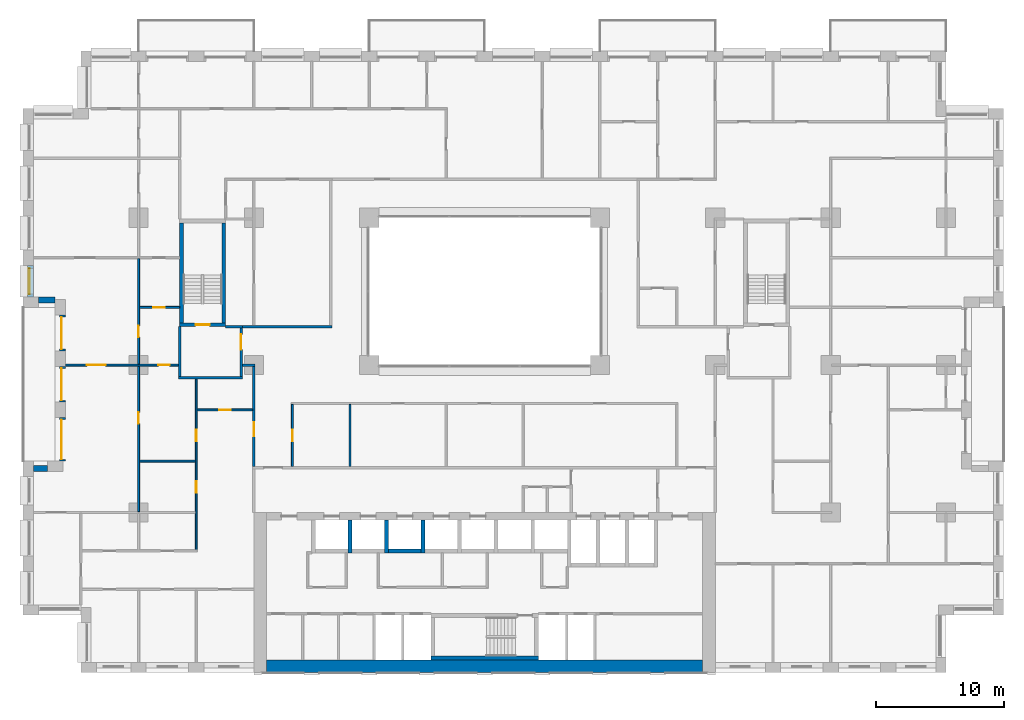
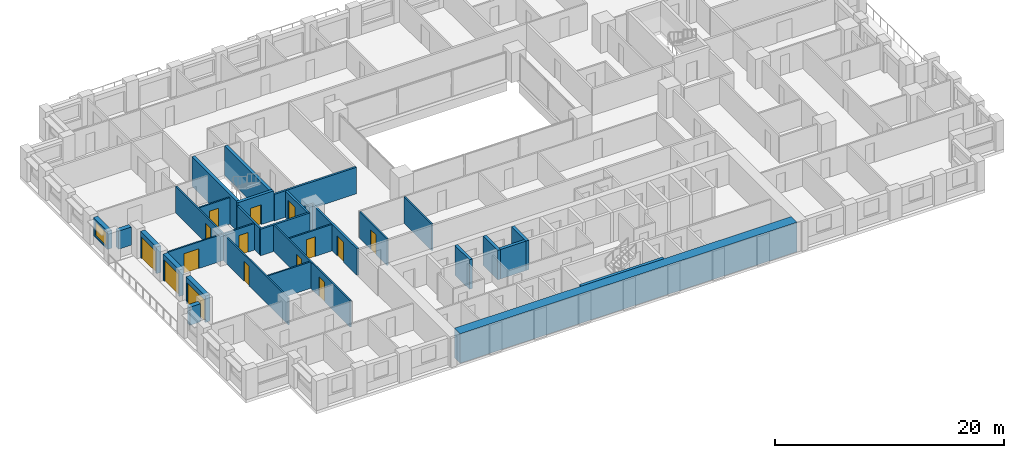
# One storey, part 10 of 20: 31 walls, 15 doors, 1 window, 16 openings.
"""IFC4 building model written with IfcOpenShell, lengths in metres."""

import ifcopenshell
import ifcopenshell.guid

model = None  # the IFC model being written
_history = None  # IfcOwnerHistory: only IFC2X3 demands one
_inside = {}  # id of a spatial element -> (the spatial element, [elements in it])
_under = {}  # id of a project, library or spatial element -> (it, [spatial elements below it])
_declared = {}  # id of a project -> (the project, [libraries it declares])
_typed = {}  # id of a type object -> (the type object, [elements of that type])
_made_of = {}  # id of a material, layer set ... -> (it, [elements and type objects made of it])


def new_model(schema):
    """Start an empty IFC model of exactly this schema.

    Asked for "IFC4X3", IfcOpenShell would pick the latest addendum, in which some entities
    have other attributes; the version numbers below select the first issue.
    IFC2X3 requires an IfcOwnerHistory on every rooted entity: one is made here for all.
    """
    global model, _history
    if schema == "IFC4X3":
        model = ifcopenshell.file(schema_version=(4, 3, 0, 0))
    else:
        model = ifcopenshell.file(schema=schema)
    _inside.clear()
    _under.clear()
    _declared.clear()
    _typed.clear()
    _made_of.clear()
    _history = None
    if model.schema == "IFC2X3":
        org = make("IfcOrganization", Name="unknown")
        user = make(
            "IfcPersonAndOrganization",
            ThePerson=make("IfcPerson", FamilyName="unknown"),
            TheOrganization=org,
        )
        app = make(
            "IfcApplication",
            ApplicationDeveloper=org,
            Version="unknown",
            ApplicationFullName="unknown",
            ApplicationIdentifier="unknown",
        )
        _history = make(
            "IfcOwnerHistory",
            OwningUser=user,
            OwningApplication=app,
            ChangeAction="ADDED",
            CreationDate=0,
        )
    return model


def make(cls, **values):
    """One entity of the class cls with the attributes given. An attribute that is None is left unset."""
    return model.create_entity(
        cls, **{name: value for name, value in values.items() if value is not None}
    )


def rooted(cls, **values):
    """An entity with a GlobalId (a new one), such as an element, a storey or a relation."""
    return make(cls, GlobalId=ifcopenshell.guid.new(), OwnerHistory=_history, **values)


def si_unit(unit_type, name, prefix=None):
    """IfcSIUnit, for example si_unit("LENGTHUNIT", "METRE", prefix="MILLI")."""
    return make("IfcSIUnit", UnitType=unit_type, Prefix=prefix, Name=name)


def assignment(units):
    """IfcUnitAssignment: the units of a project."""
    return None if units is None else make("IfcUnitAssignment", Units=units)


def point(xyz):
    """IfcCartesianPoint."""
    return None if xyz is None else make("IfcCartesianPoint", Coordinates=xyz)


def direction(xyz):
    """IfcDirection."""
    return None if xyz is None else make("IfcDirection", DirectionRatios=xyz)


def frame(location, z_axis=None, x_axis=None):
    """IfcAxis2Placement3D, a coordinate frame: its origin and axes. An axis left out is left unset."""
    return make(
        "IfcAxis2Placement3D",
        Location=point(location),
        Axis=direction(z_axis),
        RefDirection=direction(x_axis),
    )


def frame_2d(location, x_axis=None):
    """IfcAxis2Placement2D, a coordinate frame in the plane: its origin and x axis."""
    return make(
        "IfcAxis2Placement2D", Location=point(location), RefDirection=direction(x_axis)
    )


def origin():
    """The frame at (0, 0, 0) with its axes left unset."""
    return frame((0.0, 0.0, 0.0))


def place(relative_to, where):
    """IfcLocalPlacement: puts the frame where relative to a parent placement (None: the world)."""
    return make(
        "IfcLocalPlacement", PlacementRelTo=relative_to, RelativePlacement=where
    )


def context(
    kind, dimensions, precision=None, world=None, true_north=None, identifier=None
):
    """IfcGeometricRepresentationContext, for example the 3D "Model" context."""
    return make(
        "IfcGeometricRepresentationContext",
        ContextIdentifier=identifier,
        ContextType=kind,
        CoordinateSpaceDimension=dimensions,
        Precision=precision,
        WorldCoordinateSystem=world,
        TrueNorth=true_north,
    )


def subcontext(parent, identifier, kind, view, scale=None):
    """IfcGeometricRepresentationSubContext, for example "Body" below "Model"."""
    return make(
        "IfcGeometricRepresentationSubContext",
        ContextIdentifier=identifier,
        ContextType=kind,
        ParentContext=parent,
        TargetScale=scale,
        TargetView=view,
    )


def project(units=None, contexts=None):
    """IfcProject with its units and contexts."""
    return rooted(
        "IfcProject",
        Name="project",
        RepresentationContexts=contexts,
        UnitsInContext=assignment(units),
    )


def spatial(cls, under=None, at=None, **own):
    """A site, building, storey or space (cls), placed at a placement, below another one or the project."""
    s = rooted(cls, ObjectPlacement=at, **own)
    if under is not None:
        _under.setdefault(under.id(), (under, []))[1].append(s)
    return s


def profile(cls, at=None, kind="AREA", **sizes):
    """A parametric profile (cls). Its sizes go by their IFC names, for example OverallWidth=200.0."""
    return make(cls, ProfileType=kind, Position=at, **sizes)


def rectangle(**sizes):
    """IfcRectangleProfileDef."""
    return profile("IfcRectangleProfileDef", **sizes)


def extrude(swept, where, along, depth):
    """IfcExtrudedAreaSolid: the profile swept, set in the frame where, extruded along a direction by depth."""
    return make(
        "IfcExtrudedAreaSolid",
        SweptArea=swept,
        Position=where,
        ExtrudedDirection=direction(along),
        Depth=depth,
    )


def shape(context_of_items, identifier, shape_type, items):
    """IfcShapeRepresentation: the items that make up one representation, for example the "Body"."""
    return make(
        "IfcShapeRepresentation",
        ContextOfItems=context_of_items,
        RepresentationIdentifier=identifier,
        RepresentationType=shape_type,
        Items=items,
    )


def material(Name=None, Category=None):
    """IfcMaterial."""
    return make("IfcMaterial", Name=Name, Category=Category)


def layer(
    of_material, thickness, ventilated=None, Name=None, Category=None, Priority=None
):
    """IfcMaterialLayer: one layer of a wall or slab, of a material (None: an air gap)."""
    return make(
        "IfcMaterialLayer",
        Material=of_material,
        LayerThickness=thickness,
        IsVentilated=ventilated,
        Name=Name,
        Category=Category,
        Priority=Priority,
    )


def layer_set(layers, Name=None):
    """IfcMaterialLayerSet."""
    return make("IfcMaterialLayerSet", MaterialLayers=layers, LayerSetName=Name)


def made_of(thing, what):
    """Note that an element or type object is made of a material, layer set ...; save() writes the relation."""
    if what is not None:
        _made_of.setdefault(what.id(), (what, []))[1].append(thing)
    return thing


def type_object(cls, material=None, **own):
    """A type object (cls), such as IfcWallType, which elements share."""
    return made_of(rooted(cls, **own), material)


def element(
    cls,
    number,
    at=None,
    inside=None,
    cuts=None,
    type_object=None,
    material=None,
    context=None,
    identifier="Body",
    shape_type=None,
    held_by="IfcProductDefinitionShape",
    body=None,
    shapes=None,
    **own,
):
    """One element of the class cls, such as IfcWall. Its Tag is "e" and its number.

    at: its placement. inside: the storey or other place that contains it. cuts: it is an
    opening in that element (IfcRelVoidsElement). A single representation is given by context,
    identifier, shape_type and body (its items); several are given by shapes. held_by: the class
    of the entity that holds the representations. save() writes the other relations.
    """
    e = rooted(cls, Tag="e%d" % number, ObjectPlacement=at, **own)
    if body is not None:
        shapes = [shape(context, identifier, shape_type, body)]
    if shapes is not None:
        e.Representation = make(held_by, Representations=shapes)
    if inside is not None:
        _inside.setdefault(inside.id(), (inside, []))[1].append(e)
    if cuts is not None:
        rooted(
            "IfcRelVoidsElement", RelatingBuildingElement=cuts, RelatedOpeningElement=e
        )
    if type_object is not None:
        _typed.setdefault(type_object.id(), (type_object, []))[1].append(e)
    return made_of(e, material)


def fill(opening, filler):
    """IfcRelFillsElement: the door or window that sits in an opening."""
    return rooted(
        "IfcRelFillsElement",
        RelatingOpeningElement=opening,
        RelatedBuildingElement=filler,
    )


def aggregate(whole, parts):
    """IfcRelAggregates: a whole, such as a stair, and the parts it consists of."""
    return rooted("IfcRelAggregates", RelatingObject=whole, RelatedObjects=parts)


def save(model, path):
    """Write the relations noted so far, then the file.

    IfcRelAggregates (storeys below a building ...), IfcRelContainedInSpatialStructure (elements
    in a storey), IfcRelDefinesByType, IfcRelAssociatesMaterial and IfcRelDeclares: one each for
    every whole, place, type object, material and project.
    """
    for whole, parts in _under.values():
        aggregate(whole, parts)
    for where, things in _inside.values():
        rooted(
            "IfcRelContainedInSpatialStructure",
            RelatedElements=things,
            RelatingStructure=where,
        )
    for kind, things in _typed.values():
        rooted("IfcRelDefinesByType", RelatedObjects=things, RelatingType=kind)
    for what, things in _made_of.values():
        rooted("IfcRelAssociatesMaterial", RelatedObjects=things, RelatingMaterial=what)
    for by, libraries in _declared.values():
        rooted("IfcRelDeclares", RelatingContext=by, RelatedDefinitions=libraries)
    model.write(path)


model = new_model("IFC4")

# Units and contexts
model_context = context("Model", 3, precision=1e-05, world=origin(), true_north=direction((0.0, 1.0)))
body_context = subcontext(model_context, "Body", "Model", "MODEL_VIEW")
ifc_project = project(units=[si_unit("LENGTHUNIT", "METRE"), si_unit("AREAUNIT", "SQUARE_METRE"), si_unit("VOLUMEUNIT", "CUBIC_METRE"), si_unit("PLANEANGLEUNIT", "RADIAN"), si_unit("MASSUNIT", "GRAM", prefix="KILO")], contexts=[model_context])

# Site, building, storey
site_placement = place(None, origin())
site = spatial("IfcSite", under=ifc_project, at=site_placement, CompositionType="ELEMENT")
building_placement = place(site_placement, origin())
building = spatial("IfcBuilding", under=site, at=building_placement, Name="Brigalow Station Residences", CompositionType="ELEMENT")
storey_placement = place(building_placement, frame((0.0, 0.0, 54.14990234375)))
storey = spatial("IfcBuildingStorey", under=building, at=storey_placement, Name="L15", CompositionType="ELEMENT", Elevation=54.14990234375)

# Wall, opening, window
ifc_material_1 = material(Name="Clay brick masonry", Category="masonry")
ifc_layer_1 = layer(ifc_material_1, 0.449951171875)
ifc_layer_set_1 = layer_set([ifc_layer_1], Name="BRICK INFILL WALL 450")
wall_type_1 = type_object("IfcWallType", Name="BRICK INFILL WALL 450", PredefinedType="SOLIDWALL", material=ifc_layer_set_1)
wall_1_placement = place(storey_placement, frame((0.574951171875, 31.77490234375, 0.900146484375), z_axis=(0.0, 0.0, 1.0), x_axis=(0.0, -1.0, 0.0)))
wall_1 = element("IfcWall", 1, at=wall_1_placement, inside=storey, type_object=wall_type_1, Name="L15/ewall/W-L15-45", PredefinedType="SOLIDWALL", context=body_context, shape_type="SweptSolid", body=[
    extrude(rectangle(XDim=2.474853515625, YDim=0.449951171875, at=frame_2d((1.2373046875, 0.0))), origin(), (0.0, 0.0, 1.0), 1.929931640625),
])
opening_1_placement = place(wall_1_placement, frame((0.237548828125, 0.0, 0.14990234375)))
opening_1 = element("IfcOpeningElement", 2, at=opening_1_placement, cuts=wall_1, Name="Opening WT-7", PredefinedType="OPENING", context=body_context, shape_type="SweptSolid", body=[
    extrude(rectangle(XDim=2.0, YDim=1.5, at=frame_2d((1.0, 0.75))), frame((0.0, 0.23486328125, 0.0), z_axis=(0.0, -1.0, 0.0), x_axis=(1.0, 0.0, 0.0)), (0.0, 0.0, 1.0), 0.469970703125),
])
ifc_material_2 = material(Name="Anodised aluminium frame with double glazing", Category="aluminium")
window_type = type_object("IfcWindowType", Name="WINDOW 2000x1500", PartitioningType="SINGLE_PANEL", PredefinedType="WINDOW", material=ifc_material_2)
window_placement = place(opening_1_placement, origin())
window = element("IfcWindow", 3, at=window_placement, inside=storey, type_object=window_type, Name="L15/window/W-L15-45", OverallHeight=1.5, OverallWidth=2.0, PartitioningType="SINGLE_PANEL", PredefinedType="WINDOW", context=body_context, shape_type="SweptSolid", body=[
    extrude(rectangle(XDim=2.0, YDim=1.5, at=frame_2d((1.0, 0.75))), frame((0.0, -0.06494140625, 0.0), z_axis=(0.0, -1.0, 0.0), x_axis=(1.0, 0.0, 0.0)), (0.0, 0.0, 1.0), 0.06005859375),
])
fill(opening_1, window)

# Wall
wall_2_placement = place(storey_placement, frame((1.199951171875, 29.074951171875, 0.900146484375), z_axis=(0.0, 0.0, 1.0), x_axis=(1.0, 0.0, 0.0)))
element("IfcWall", 4, at=wall_2_placement, inside=storey, type_object=wall_type_1, Name="L15/ewall/W-L15-46", PredefinedType="SOLIDWALL", context=body_context, shape_type="SweptSolid", body=[
    extrude(rectangle(XDim=1.300048828125, YDim=0.449951171875, at=frame_2d((0.64990234375, 0.0))), origin(), (0.0, 0.0, 1.0), 1.929931640625),
])

# Wall, opening, door
wall_3_placement = place(storey_placement, frame((3.074951171875, 27.89990234375, 0.0), z_axis=(0.0, 0.0, 1.0), x_axis=(0.0, -1.0, 0.0)))
wall_3 = element("IfcWall", 5, at=wall_3_placement, inside=storey, type_object=wall_type_1, Name="L15/ewall/W-L15-47", PredefinedType="SOLIDWALL", context=body_context, shape_type="SweptSolid", body=[
    extrude(rectangle(XDim=2.7998046875, YDim=0.449951171875, at=frame_2d((1.39990234375, 0.0))), origin(), (0.0, 0.0, 1.0), 2.830078125),
])
opening_2_placement = place(wall_3_placement, frame((0.14990234375, 0.0, 0.0)))
opening_2 = element("IfcOpeningElement", 6, at=opening_2_placement, cuts=wall_3, Name="Opening D-B2500", PredefinedType="OPENING", context=body_context, shape_type="SweptSolid", body=[
    extrude(rectangle(XDim=2.5, YDim=2.300048828125, at=frame_2d((1.25, 1.14990234375))), frame((0.0, 0.23486328125, 0.0), z_axis=(0.0, -1.0, 0.0), x_axis=(1.0, 0.0, 0.0)), (0.0, 0.0, 1.0), 0.469970703125),
])
ifc_material_3 = material(Name="Anodised aluminium frame with double glazing", Category="aluminium")
door_type_1 = type_object("IfcDoorType", Name="BALCONY SLIDING DOOR 2500x2300", OperationType="SLIDING_TO_LEFT", PredefinedType="DOOR", material=ifc_material_3)
door_1_placement = place(opening_2_placement, origin())
door_1 = element("IfcDoor", 7, at=door_1_placement, inside=storey, type_object=door_type_1, Name="L15/balcony-door/W-L15-47", OperationType="SLIDING_TO_LEFT", OverallHeight=2.300048828125, OverallWidth=2.5, PredefinedType="DOOR", context=body_context, shape_type="SweptSolid", body=[
    extrude(rectangle(XDim=2.5, YDim=2.300048828125, at=frame_2d((1.25, 1.14990234375))), frame((0.0, -0.06982421875, 0.0), z_axis=(0.0, -1.0, 0.0), x_axis=(1.0, 0.0, 0.0)), (0.0, 0.0, 1.0), 0.050048828125),
])
fill(opening_2, door_1)

wall_4_placement = place(storey_placement, frame((3.074951171875, 23.89990234375, 0.0), z_axis=(0.0, 0.0, 1.0), x_axis=(0.0, -1.0, 0.0)))
wall_4 = element("IfcWall", 8, at=wall_4_placement, inside=storey, type_object=wall_type_1, Name="L15/ewall/W-L15-48", PredefinedType="SOLIDWALL", context=body_context, shape_type="SweptSolid", body=[
    extrude(rectangle(XDim=2.7998046875, YDim=0.449951171875, at=frame_2d((1.39990234375, 0.0))), origin(), (0.0, 0.0, 1.0), 2.830078125),
])
opening_3_placement = place(wall_4_placement, frame((0.14990234375, 0.0, 0.0)))
opening_3 = element("IfcOpeningElement", 9, at=opening_3_placement, cuts=wall_4, Name="Opening D-B2500", PredefinedType="OPENING", context=body_context, shape_type="SweptSolid", body=[
    extrude(rectangle(XDim=2.5, YDim=2.300048828125, at=frame_2d((1.25, 1.14990234375))), frame((0.0, 0.23486328125, 0.0), z_axis=(0.0, -1.0, 0.0), x_axis=(1.0, 0.0, 0.0)), (0.0, 0.0, 1.0), 0.469970703125),
])
door_2_placement = place(opening_3_placement, origin())
door_2 = element("IfcDoor", 10, at=door_2_placement, inside=storey, type_object=door_type_1, Name="L15/balcony-door/W-L15-48", OperationType="SLIDING_TO_LEFT", OverallHeight=2.300048828125, OverallWidth=2.5, PredefinedType="DOOR", context=body_context, shape_type="SweptSolid", body=[
    extrude(rectangle(XDim=2.5, YDim=2.300048828125, at=frame_2d((1.25, 1.14990234375))), frame((0.0, -0.06982421875, 0.0), z_axis=(0.0, -1.0, 0.0), x_axis=(1.0, 0.0, 0.0)), (0.0, 0.0, 1.0), 0.050048828125),
])
fill(opening_3, door_2)

wall_5_placement = place(storey_placement, frame((3.074951171875, 19.89990234375, 0.0), z_axis=(0.0, 0.0, 1.0), x_axis=(0.0, -1.0, 0.0)))
wall_5 = element("IfcWall", 11, at=wall_5_placement, inside=storey, type_object=wall_type_1, Name="L15/ewall/W-L15-49", PredefinedType="SOLIDWALL", context=body_context, shape_type="SweptSolid", body=[
    extrude(rectangle(XDim=3.39990234375, YDim=0.449951171875, at=frame_2d((1.699951171875, 0.0))), origin(), (0.0, 0.0, 1.0), 2.830078125),
])
opening_4_placement = place(wall_5_placement, frame((0.14990234375, 0.0, 0.0)))
opening_4 = element("IfcOpeningElement", 12, at=opening_4_placement, cuts=wall_5, Name="Opening D-B3100", PredefinedType="OPENING", context=body_context, shape_type="SweptSolid", body=[
    extrude(rectangle(XDim=3.10009765625, YDim=2.300048828125, at=frame_2d((1.550048828125, 1.14990234375))), frame((0.0, 0.23486328125, 0.0), z_axis=(0.0, -1.0, 0.0), x_axis=(1.0, 0.0, 0.0)), (0.0, 0.0, 1.0), 0.469970703125),
])
ifc_material_4 = material(Name="Anodised aluminium frame with double glazing", Category="aluminium")
door_type_2 = type_object("IfcDoorType", Name="BALCONY SLIDING DOOR 3100x2300", OperationType="SLIDING_TO_LEFT", PredefinedType="DOOR", material=ifc_material_4)
door_3_placement = place(opening_4_placement, origin())
door_3 = element("IfcDoor", 13, at=door_3_placement, inside=storey, type_object=door_type_2, Name="L15/balcony-door/W-L15-49", OperationType="SLIDING_TO_LEFT", OverallHeight=2.300048828125, OverallWidth=3.10009765625, PredefinedType="DOOR", context=body_context, shape_type="SweptSolid", body=[
    extrude(rectangle(XDim=3.10009765625, YDim=2.300048828125, at=frame_2d((1.550048828125, 1.14990234375))), frame((0.0, -0.06982421875, 0.0), z_axis=(0.0, -1.0, 0.0), x_axis=(1.0, 0.0, 0.0)), (0.0, 0.0, 1.0), 0.050048828125),
])
fill(opening_4, door_3)

# Walls
wall_6_placement = place(storey_placement, frame((1.89990234375, 15.925048828125, 0.900146484375), z_axis=(0.0, 0.0, 1.0), x_axis=(-1.0, 0.0, 0.0)))
element("IfcWall", 14, at=wall_6_placement, inside=storey, type_object=wall_type_1, Name="L15/ewall/W-L15-50", PredefinedType="SOLIDWALL", context=body_context, shape_type="SweptSolid", body=[
    extrude(rectangle(XDim=1.099853515625, YDim=0.449951171875, at=frame_2d((0.5498046875, 0.0))), origin(), (0.0, 0.0, 1.0), 1.929931640625),
])
ifc_material_5 = material(Name="Concrete C80", Category="concrete")
ifc_layer_2 = layer(ifc_material_5, 1.0)
ifc_layer_set_2 = layer_set([ifc_layer_2], Name="CORE SHEAR WALL 1000 C80")
wall_type_2 = type_object("IfcWallType", Name="CORE SHEAR WALL 1000 C80", PredefinedType="SHEAR", material=ifc_layer_set_2)
wall_7_placement = place(storey_placement, frame((19.0, 0.5, 0.0), z_axis=(0.0, 0.0, 1.0), x_axis=(1.0, 0.0, 0.0)))
element("IfcWall", 15, at=wall_7_placement, inside=storey, type_object=wall_type_2, Name="CORE WALL OUT-S L15", PredefinedType="SHEAR", context=body_context, shape_type="SweptSolid", body=[
    extrude(rectangle(XDim=34.0, YDim=1.0, at=frame_2d((17.0, 0.0))), origin(), (0.0, 0.0, 1.0), 3.150146484375),
])
ifc_material_6 = material(Name="Concrete C80", Category="concrete")
ifc_layer_3 = layer(ifc_material_6, 0.300048828125)
ifc_layer_set_3 = layer_set([ifc_layer_3], Name="CORE SHEAR WALL 300 C80")
wall_type_3 = type_object("IfcWallType", Name="CORE SHEAR WALL 300 C80", PredefinedType="SHEAR", material=ifc_layer_set_3)
wall_8_placement = place(storey_placement, frame((25.5, 9.35009765625, 0.0), z_axis=(0.0, 0.0, 1.0), x_axis=(0.0, 1.0, 0.0)))
element("IfcWall", 16, at=wall_8_placement, inside=storey, type_object=wall_type_3, Name="CORE WALL SH-P2-W L15", PredefinedType="SHEAR", context=body_context, shape_type="SweptSolid", body=[
    extrude(rectangle(XDim=2.5498046875, YDim=0.300048828125, at=frame_2d((1.27490234375, 0.0))), origin(), (0.0, 0.0, 1.0), 3.150146484375),
])
wall_9_placement = place(storey_placement, frame((28.5, 9.5, 0.0), z_axis=(0.0, 0.0, 1.0), x_axis=(1.0, 0.0, 0.0)))
element("IfcWall", 17, at=wall_9_placement, inside=storey, type_object=wall_type_3, Name="CORE WALL SH-P3-S L15", PredefinedType="SHEAR", context=body_context, shape_type="SweptSolid", body=[
    extrude(rectangle(XDim=2.550048828125, YDim=0.300048828125, at=frame_2d((1.27490234375, 0.0))), origin(), (0.0, 0.0, 1.0), 3.150146484375),
])
for number, where, z_axis, x_axis, name in (
    (18, (28.35009765625, 9.35009765625, 0.0), (0.0, 0.0, 1.0), (0.0, 1.0, 0.0), "CORE WALL SH-P3-W L15"),
    (19, (31.199951171875, 9.35009765625, 0.0), (0.0, 0.0, 1.0), (0.0, 1.0, 0.0), "CORE WALL SH-P4-W L15"),
):
    element("IfcWall", number, at=place(storey_placement, frame(where, z_axis=z_axis, x_axis=x_axis)), inside=storey, type_object=wall_type_3, Name=name, PredefinedType="SHEAR", context=body_context, shape_type="SweptSolid", body=[
        extrude(rectangle(XDim=2.5498046875, YDim=0.300048828125, at=frame_2d((1.27490234375, 0.0))), origin(), (0.0, 0.0, 1.0), 3.150146484375),
    ])
wall_10_placement = place(storey_placement, frame((31.800048828125, 1.14990234375, 0.0), z_axis=(0.0, 0.0, 1.0), x_axis=(1.0, 0.0, 0.0)))
element("IfcWall", 20, at=wall_10_placement, inside=storey, type_object=wall_type_3, Name="CORE WALL ST-S2-S L15", PredefinedType="SHEAR", context=body_context, shape_type="SweptSolid", body=[
    extrude(rectangle(XDim=8.39990234375, YDim=0.300048828125, at=frame_2d((4.199951171875, 0.0))), origin(), (0.0, 0.0, 1.0), 3.150146484375),
])

# Wall, opening, door
wall_11_placement = place(storey_placement, frame((12.199951171875, 27.14990234375, 0.0), z_axis=(0.0, 0.0, 1.0), x_axis=(1.0, 0.0, 0.0)))
wall_11 = element("IfcWall", 21, at=wall_11_placement, inside=storey, type_object=wall_type_3, Name="CORE WALL ST-S1-S L15", PredefinedType="SHEAR", context=body_context, shape_type="SweptSolid", body=[
    extrude(rectangle(XDim=3.60009765625, YDim=0.300048828125, at=frame_2d((1.800048828125, 0.0))), origin(), (0.0, 0.0, 1.0), 3.150146484375),
])
opening_5_placement = place(wall_11_placement, frame((1.25, 0.0, 0.0)))
opening_5 = element("IfcOpeningElement", 22, at=opening_5_placement, cuts=wall_11, Name="Opening D-5015", PredefinedType="OPENING", context=body_context, shape_type="SweptSolid", body=[
    extrude(rectangle(XDim=1.10009765625, YDim=2.10009765625, at=frame_2d((0.550048828125, 1.050048828125))), frame((0.0, 0.16015625, 0.0), z_axis=(0.0, -1.0, 0.0), x_axis=(1.0, 0.0, 0.0)), (0.0, 0.0, 1.0), 0.320068359375),
])
ifc_material_7 = material(Name="Steel fire door leaf in steel frame", Category="steel")
door_type_3 = type_object("IfcDoorType", Name="STAIR DOOR 1100 x 2100 FD60S", OperationType="SINGLE_SWING_LEFT", PredefinedType="DOOR", material=ifc_material_7)
door_4_placement = place(opening_5_placement, origin())
door_4 = element("IfcDoor", 23, at=door_4_placement, inside=storey, type_object=door_type_3, Name="D-5015", OperationType="SINGLE_SWING_LEFT", OverallHeight=2.10009765625, OverallWidth=1.10009765625, PredefinedType="DOOR", context=body_context, shape_type="SweptSolid", body=[
    extrude(rectangle(XDim=1.10009765625, YDim=2.10009765625, at=frame_2d((0.550048828125, 1.050048828125))), frame((0.0, 0.02490234375, 0.0), z_axis=(0.0, -1.0, 0.0), x_axis=(1.0, 0.0, 0.0)), (0.0, 0.0, 1.0), 0.050048828125),
])
fill(opening_5, door_4)

# Walls
for number, where, z_axis, x_axis, name in (
    (24, (12.35009765625, 27.300048828125, 0.0), (0.0, 0.0, 1.0), (0.0, 1.0, 0.0), "CORE WALL ST-S1-W L15"),
    (25, (15.64990234375, 27.300048828125, 0.0), (0.0, 0.0, 1.0), (0.0, 1.0, 0.0), "CORE WALL ST-S1-E L15"),
):
    element("IfcWall", number, at=place(storey_placement, frame(where, z_axis=z_axis, x_axis=x_axis)), inside=storey, type_object=wall_type_3, Name=name, PredefinedType="SHEAR", context=body_context, shape_type="SweptSolid", body=[
        extrude(rectangle(XDim=7.800048828125, YDim=0.300048828125, at=frame_2d((3.89990234375, 0.0))), origin(), (0.0, 0.0, 1.0), 3.150146484375),
    ])
ifc_material_8 = material(Name="Concrete blockwork", Category="masonry")
ifc_layer_4 = layer(ifc_material_8, 0.199951171875)
ifc_layer_set_4 = layer_set([ifc_layer_4], Name="FIRE RATED CORE PARTITION 200")
wall_type_4 = type_object("IfcWallType", Name="FIRE RATED CORE PARTITION 200", PredefinedType="PARTITIONING", material=ifc_layer_set_4)
wall_12_placement = place(storey_placement, frame((12.10009765625, 23.0, 0.0), z_axis=(0.0, 0.0, 1.0), x_axis=(1.0, 0.0, 0.0)))
element("IfcWall", 26, at=wall_12_placement, inside=storey, type_object=wall_type_4, Name="PW-5023", PredefinedType="PARTITIONING", context=body_context, shape_type="SweptSolid", body=[
    extrude(rectangle(XDim=5.0, YDim=0.199951171875, at=frame_2d((2.5, 0.0))), origin(), (0.0, 0.0, 1.0), 2.830078125),
])
wall_13_placement = place(storey_placement, frame((15.800048828125, 27.0, 0.0), z_axis=(0.0, 0.0, 1.0), x_axis=(1.0, 0.0, 0.0)))
element("IfcWall", 27, at=wall_13_placement, inside=storey, type_object=wall_type_4, Name="PW-5025", PredefinedType="PARTITIONING", context=body_context, shape_type="SweptSolid", body=[
    extrude(rectangle(XDim=1.300048828125, YDim=0.199951171875, at=frame_2d((0.64990234375, 0.0))), origin(), (0.0, 0.0, 1.0), 2.830078125),
])
wall_14_placement = place(storey_placement, frame((12.199951171875, 23.10009765625, 0.0), z_axis=(0.0, 0.0, 1.0), x_axis=(0.0, 1.0, 0.0)))
element("IfcWall", 28, at=wall_14_placement, inside=storey, type_object=wall_type_4, Name="PW-5034", PredefinedType="PARTITIONING", context=body_context, shape_type="SweptSolid", body=[
    extrude(rectangle(XDim=3.89990234375, YDim=0.199951171875, at=frame_2d((1.949951171875, 0.0))), origin(), (0.0, 0.0, 1.0), 2.830078125),
])

# Wall, opening, door
wall_15_placement = place(storey_placement, frame((17.0, 23.10009765625, 0.0), z_axis=(0.0, 0.0, 1.0), x_axis=(0.0, 1.0, 0.0)))
wall_15 = element("IfcWall", 29, at=wall_15_placement, inside=storey, type_object=wall_type_4, Name="PW-5035", PredefinedType="PARTITIONING", context=body_context, shape_type="SweptSolid", body=[
    extrude(rectangle(XDim=3.7998046875, YDim=0.199951171875, at=frame_2d((1.89990234375, 0.0))), origin(), (0.0, 0.0, 1.0), 2.830078125),
])
opening_6_placement = place(wall_15_placement, frame((2.10009765625, 0.0, 0.0)))
opening_6 = element("IfcOpeningElement", 30, at=opening_6_placement, cuts=wall_15, Name="Opening D-5016", PredefinedType="OPENING", context=body_context, shape_type="SweptSolid", body=[
    extrude(rectangle(XDim=1.199951171875, YDim=2.10009765625, at=frame_2d((0.60009765625, 1.050048828125))), frame((0.0, 0.10986328125, 0.0), z_axis=(0.0, -1.0, 0.0), x_axis=(1.0, 0.0, 0.0)), (0.0, 0.0, 1.0), 0.219970703125),
])
ifc_material_9 = material(Name="Steel fire door leaf in steel frame", Category="steel")
door_type_4 = type_object("IfcDoorType", Name="STAIR LOBBY DOOR 1200 x 2100 FD60S", OperationType="SINGLE_SWING_LEFT", PredefinedType="DOOR", material=ifc_material_9)
door_5_placement = place(opening_6_placement, origin())
door_5 = element("IfcDoor", 31, at=door_5_placement, inside=storey, type_object=door_type_4, Name="D-5016", OperationType="SINGLE_SWING_RIGHT", OverallHeight=2.10009765625, OverallWidth=1.199951171875, PredefinedType="DOOR", context=body_context, shape_type="SweptSolid", body=[
    extrude(rectangle(XDim=1.199951171875, YDim=2.10009765625, at=frame_2d((0.60009765625, 1.050048828125))), frame((0.0, 0.02490234375, 0.0), z_axis=(0.0, -1.0, 0.0), x_axis=(1.0, 0.0, 0.0)), (0.0, 0.0, 1.0), 0.050048828125),
])
fill(opening_6, door_5)

# Wall, openings, doors
ifc_material_10 = material(Name="Plasterboard on steel stud partition", Category="steel")
ifc_layer_5 = layer(ifc_material_10, 0.14990234375)
ifc_layer_set_5 = layer_set([ifc_layer_5], Name="FLAT PARTITION 150")
wall_type_5 = type_object("IfcWallType", Name="FLAT PARTITION 150", PredefinedType="PARTITIONING", material=ifc_layer_set_5)
wall_16_placement = place(storey_placement, frame((3.300048828125, 24.0, 0.0), z_axis=(0.0, 0.0, 1.0), x_axis=(1.0, 0.0, 0.0)))
wall_16 = element("IfcWall", 32, at=wall_16_placement, inside=storey, type_object=wall_type_5, Name="PW-1E02", PredefinedType="PARTITIONING", context=body_context, shape_type="SweptSolid", body=[
    extrude(rectangle(XDim=8.800048828125, YDim=0.14990234375, at=frame_2d((4.39990234375, 0.0))), origin(), (0.0, 0.0, 1.0), 2.830078125),
])
opening_7_placement = place(wall_16_placement, frame((1.64990234375, 0.0, 0.0)))
opening_7 = element("IfcOpeningElement", 33, at=opening_7_placement, cuts=wall_16, Name="Opening D-1E07", PredefinedType="OPENING", context=body_context, shape_type="SweptSolid", body=[
    extrude(rectangle(XDim=1.5, YDim=2.10009765625, at=frame_2d((0.75, 1.050048828125))), frame((0.0, 0.0849609375, 0.0), z_axis=(0.0, -1.0, 0.0), x_axis=(1.0, 0.0, 0.0)), (0.0, 0.0, 1.0), 0.169921875),
])
opening_8_placement = place(wall_16_placement, frame((7.22509765625, 0.0, 0.0)))
opening_8 = element("IfcOpeningElement", 34, at=opening_8_placement, cuts=wall_16, Name="Opening D-1E16", PredefinedType="OPENING", context=body_context, shape_type="SweptSolid", body=[
    extrude(rectangle(XDim=0.89990234375, YDim=2.10009765625, at=frame_2d((0.449951171875, 1.050048828125))), frame((0.0, 0.0849609375, 0.0), z_axis=(0.0, -1.0, 0.0), x_axis=(1.0, 0.0, 0.0)), (0.0, 0.0, 1.0), 0.169921875),
])
ifc_material_11 = material(Name="Solid-core timber door leaf", Category="wood")
door_type_5 = type_object("IfcDoorType", Name="INTERNAL DOOR 900 x 2100", OperationType="SINGLE_SWING_LEFT", PredefinedType="DOOR", material=ifc_material_11)
door_6_placement = place(opening_8_placement, origin())
door_6 = element("IfcDoor", 35, at=door_6_placement, inside=storey, type_object=door_type_5, Name="D-1E16", OperationType="SINGLE_SWING_RIGHT", OverallHeight=2.10009765625, OverallWidth=0.89990234375, PredefinedType="DOOR", context=body_context, shape_type="SweptSolid", body=[
    extrude(rectangle(XDim=0.89990234375, YDim=2.10009765625, at=frame_2d((0.449951171875, 1.050048828125))), frame((0.0, 0.02490234375, 0.0), z_axis=(0.0, -1.0, 0.0), x_axis=(1.0, 0.0, 0.0)), (0.0, 0.0, 1.0), 0.050048828125),
])
fill(opening_8, door_6)
ifc_material_12 = material(Name="Solid-core timber door leaf", Category="wood")
door_type_6 = type_object("IfcDoorType", Name="INTERNAL DOUBLE DOOR 1500 x 2100", OperationType="DOUBLE_DOOR_SINGLE_SWING", PredefinedType="DOOR", material=ifc_material_12)
door_7_placement = place(opening_7_placement, origin())
door_7 = element("IfcDoor", 36, at=door_7_placement, inside=storey, type_object=door_type_6, Name="D-1E07", OperationType="DOUBLE_DOOR_SINGLE_SWING", OverallHeight=2.10009765625, OverallWidth=1.5, PredefinedType="DOOR", context=body_context, shape_type="SweptSolid", body=[
    extrude(rectangle(XDim=1.5, YDim=2.10009765625, at=frame_2d((0.75, 1.050048828125))), frame((0.0, 0.02490234375, 0.0), z_axis=(0.0, -1.0, 0.0), x_axis=(1.0, 0.0, 0.0)), (0.0, 0.0, 1.0), 0.050048828125),
])
fill(opening_7, door_7)

# Wall, opening, door
wall_17_placement = place(storey_placement, frame((13.574951171875, 20.5, 0.0), z_axis=(0.0, 0.0, 1.0), x_axis=(1.0, 0.0, 0.0)))
wall_17 = element("IfcWall", 37, at=wall_17_placement, inside=storey, type_object=wall_type_5, Name="PW-1E16", PredefinedType="PARTITIONING", context=body_context, shape_type="SweptSolid", body=[
    extrude(rectangle(XDim=4.324951171875, YDim=0.14990234375, at=frame_2d((2.16259765625, 0.0))), origin(), (0.0, 0.0, 1.0), 2.830078125),
])
opening_9_placement = place(wall_17_placement, frame((1.72509765625, 0.0, 0.0)))
opening_9 = element("IfcOpeningElement", 38, at=opening_9_placement, cuts=wall_17, Name="Opening D-1E12", PredefinedType="OPENING", context=body_context, shape_type="SweptSolid", body=[
    extrude(rectangle(XDim=0.89990234375, YDim=2.10009765625, at=frame_2d((0.449951171875, 1.050048828125))), frame((0.0, 0.0849609375, 0.0), z_axis=(0.0, -1.0, 0.0), x_axis=(1.0, 0.0, 0.0)), (0.0, 0.0, 1.0), 0.169921875),
])
door_8_placement = place(opening_9_placement, origin())
door_8 = element("IfcDoor", 39, at=door_8_placement, inside=storey, type_object=door_type_5, Name="D-1E12", OperationType="SINGLE_SWING_RIGHT", OverallHeight=2.10009765625, OverallWidth=0.89990234375, PredefinedType="DOOR", context=body_context, shape_type="SweptSolid", body=[
    extrude(rectangle(XDim=0.89990234375, YDim=2.10009765625, at=frame_2d((0.449951171875, 1.050048828125))), frame((0.0, 0.02490234375, 0.0), z_axis=(0.0, -1.0, 0.0), x_axis=(1.0, 0.0, 0.0)), (0.0, 0.0, 1.0), 0.050048828125),
])
fill(opening_9, door_8)

# Wall
wall_18_placement = place(storey_placement, frame((9.074951171875, 16.5, 0.0), z_axis=(0.0, 0.0, 1.0), x_axis=(1.0, 0.0, 0.0)))
element("IfcWall", 40, at=wall_18_placement, inside=storey, type_object=wall_type_5, Name="PW-1E18", PredefinedType="PARTITIONING", context=body_context, shape_type="SweptSolid", body=[
    extrude(rectangle(XDim=4.35009765625, YDim=0.14990234375, at=frame_2d((2.175048828125, 0.0))), origin(), (0.0, 0.0, 1.0), 2.830078125),
])

# Wall, opening, door
wall_19_placement = place(storey_placement, frame((9.074951171875, 28.5, 0.0), z_axis=(0.0, 0.0, 1.0), x_axis=(1.0, 0.0, 0.0)))
wall_19 = element("IfcWall", 41, at=wall_19_placement, inside=storey, type_object=wall_type_5, Name="PW-1E22", PredefinedType="PARTITIONING", context=body_context, shape_type="SweptSolid", body=[
    extrude(rectangle(XDim=3.125, YDim=0.14990234375, at=frame_2d((1.5625, 0.0))), origin(), (0.0, 0.0, 1.0), 2.830078125),
])
opening_10_placement = place(wall_19_placement, frame((1.074951171875, 0.0, 0.0)))
opening_10 = element("IfcOpeningElement", 42, at=opening_10_placement, cuts=wall_19, Name="Opening D-1E18", PredefinedType="OPENING", context=body_context, shape_type="SweptSolid", body=[
    extrude(rectangle(XDim=0.89990234375, YDim=2.10009765625, at=frame_2d((0.449951171875, 1.050048828125))), frame((0.0, 0.0849609375, 0.0), z_axis=(0.0, -1.0, 0.0), x_axis=(1.0, 0.0, 0.0)), (0.0, 0.0, 1.0), 0.169921875),
])
door_9_placement = place(opening_10_placement, origin())
door_9 = element("IfcDoor", 43, at=door_9_placement, inside=storey, type_object=door_type_5, Name="D-1E18", OperationType="SINGLE_SWING_LEFT", OverallHeight=2.10009765625, OverallWidth=0.89990234375, PredefinedType="DOOR", context=body_context, shape_type="SweptSolid", body=[
    extrude(rectangle(XDim=0.89990234375, YDim=2.10009765625, at=frame_2d((0.449951171875, 1.050048828125))), frame((0.0, 0.02490234375, 0.0), z_axis=(0.0, -1.0, 0.0), x_axis=(1.0, 0.0, 0.0)), (0.0, 0.0, 1.0), 0.050048828125),
])
fill(opening_10, door_9)

wall_20_placement = place(storey_placement, frame((21.0, 16.10009765625, 0.0), z_axis=(0.0, 0.0, 1.0), x_axis=(0.0, 1.0, 0.0)))
wall_20 = element("IfcWall", 44, at=wall_20_placement, inside=storey, type_object=wall_type_5, Name="PW-1E43", PredefinedType="PARTITIONING", context=body_context, shape_type="SweptSolid", body=[
    extrude(rectangle(XDim=4.824951171875, YDim=0.14990234375, at=frame_2d((2.41259765625, 0.0))), origin(), (0.0, 0.0, 1.0), 2.830078125),
])
opening_11_placement = place(wall_20_placement, frame((1.949951171875, 0.0, 0.0)))
opening_11 = element("IfcOpeningElement", 45, at=opening_11_placement, cuts=wall_20, Name="Opening D-1E64", PredefinedType="OPENING", context=body_context, shape_type="SweptSolid", body=[
    extrude(rectangle(XDim=0.89990234375, YDim=2.10009765625, at=frame_2d((0.449951171875, 1.050048828125))), frame((0.0, 0.0849609375, 0.0), z_axis=(0.0, -1.0, 0.0), x_axis=(1.0, 0.0, 0.0)), (0.0, 0.0, 1.0), 0.169921875),
])
door_10_placement = place(opening_11_placement, frame((0.89990234375, 0.0, 0.0), z_axis=(0.0, 0.0, 1.0), x_axis=(-1.0, 0.0, 0.0)))
door_10 = element("IfcDoor", 46, at=door_10_placement, inside=storey, type_object=door_type_5, Name="D-1E64", OperationType="SINGLE_SWING_RIGHT", OverallHeight=2.10009765625, OverallWidth=0.89990234375, PredefinedType="DOOR", context=body_context, shape_type="SweptSolid", body=[
    extrude(rectangle(XDim=0.89990234375, YDim=2.10009765625, at=frame_2d((0.449951171875, 1.050048828125))), frame((0.0, 0.02490234375, 0.0), z_axis=(0.0, -1.0, 0.0), x_axis=(1.0, 0.0, 0.0)), (0.0, 0.0, 1.0), 0.050048828125),
])
fill(opening_11, door_10)

wall_21_placement = place(storey_placement, frame((9.0, 12.574951171875, 0.0), z_axis=(0.0, 0.0, 1.0), x_axis=(0.0, 1.0, 0.0)))
wall_21 = element("IfcWall", 47, at=wall_21_placement, inside=storey, type_object=wall_type_5, Name="PW-1E50", PredefinedType="PARTITIONING", context=body_context, shape_type="SweptSolid", body=[
    extrude(rectangle(XDim=11.35009765625, YDim=0.14990234375, at=frame_2d((5.675048828125, 0.0))), origin(), (0.0, 0.0, 1.0), 2.830078125),
])
opening_12_placement = place(wall_21_placement, frame((6.85009765625, 0.0, 0.0)))
opening_12 = element("IfcOpeningElement", 48, at=opening_12_placement, cuts=wall_21, Name="Opening D-1E15", PredefinedType="OPENING", context=body_context, shape_type="SweptSolid", body=[
    extrude(rectangle(XDim=0.89990234375, YDim=2.10009765625, at=frame_2d((0.449951171875, 1.050048828125))), frame((0.0, 0.0849609375, 0.0), z_axis=(0.0, -1.0, 0.0), x_axis=(1.0, 0.0, 0.0)), (0.0, 0.0, 1.0), 0.169921875),
])
door_11_placement = place(opening_12_placement, frame((0.89990234375, 0.0, 0.0), z_axis=(0.0, 0.0, 1.0), x_axis=(-1.0, 0.0, 0.0)))
door_11 = element("IfcDoor", 49, at=door_11_placement, inside=storey, type_object=door_type_5, Name="D-1E15", OperationType="SINGLE_SWING_RIGHT", OverallHeight=2.10009765625, OverallWidth=0.89990234375, PredefinedType="DOOR", context=body_context, shape_type="SweptSolid", body=[
    extrude(rectangle(XDim=0.89990234375, YDim=2.10009765625, at=frame_2d((0.449951171875, 1.050048828125))), frame((0.0, 0.02490234375, 0.0), z_axis=(0.0, -1.0, 0.0), x_axis=(1.0, 0.0, 0.0)), (0.0, 0.0, 1.0), 0.050048828125),
])
fill(opening_12, door_11)

wall_22_placement = place(storey_placement, frame((9.0, 24.074951171875, 0.0), z_axis=(0.0, 0.0, 1.0), x_axis=(0.0, 1.0, 0.0)))
wall_22 = element("IfcWall", 50, at=wall_22_placement, inside=storey, type_object=wall_type_5, Name="PW-1E51", PredefinedType="PARTITIONING", context=body_context, shape_type="SweptSolid", body=[
    extrude(rectangle(XDim=8.22509765625, YDim=0.14990234375, at=frame_2d((4.112548828125, 0.0))), origin(), (0.0, 0.0, 1.0), 2.830078125),
])
opening_13_placement = place(wall_22_placement, frame((2.10009765625, 0.0, 0.0)))
opening_13 = element("IfcOpeningElement", 51, at=opening_13_placement, cuts=wall_22, Name="Opening D-1E08", PredefinedType="OPENING", context=body_context, shape_type="SweptSolid", body=[
    extrude(rectangle(XDim=0.89990234375, YDim=2.10009765625, at=frame_2d((0.449951171875, 1.050048828125))), frame((0.0, 0.0849609375, 0.0), z_axis=(0.0, -1.0, 0.0), x_axis=(1.0, 0.0, 0.0)), (0.0, 0.0, 1.0), 0.169921875),
])
door_12_placement = place(opening_13_placement, frame((0.89990234375, 0.0, 0.0), z_axis=(0.0, 0.0, 1.0), x_axis=(-1.0, 0.0, 0.0)))
door_12 = element("IfcDoor", 52, at=door_12_placement, inside=storey, type_object=door_type_5, Name="D-1E08", OperationType="SINGLE_SWING_LEFT", OverallHeight=2.10009765625, OverallWidth=0.89990234375, PredefinedType="DOOR", context=body_context, shape_type="SweptSolid", body=[
    extrude(rectangle(XDim=0.89990234375, YDim=2.10009765625, at=frame_2d((0.449951171875, 1.050048828125))), frame((0.0, 0.02490234375, 0.0), z_axis=(0.0, -1.0, 0.0), x_axis=(1.0, 0.0, 0.0)), (0.0, 0.0, 1.0), 0.050048828125),
])
fill(opening_13, door_12)

# Wall, openings, doors
wall_23_placement = place(storey_placement, frame((13.5, 9.574951171875, 0.0), z_axis=(0.0, 0.0, 1.0), x_axis=(0.0, 1.0, 0.0)))
wall_23 = element("IfcWall", 53, at=wall_23_placement, inside=storey, type_object=wall_type_5, Name="PW-1E57", PredefinedType="PARTITIONING", context=body_context, shape_type="SweptSolid", body=[
    extrude(rectangle(XDim=13.324951171875, YDim=0.14990234375, at=frame_2d((6.66259765625, 0.0))), origin(), (0.0, 0.0, 1.0), 2.830078125),
])
opening_14_placement = place(wall_23_placement, frame((8.47509765625, 0.0, 0.0)))
opening_14 = element("IfcOpeningElement", 54, at=opening_14_placement, cuts=wall_23, Name="Opening D-1E10", PredefinedType="OPENING", context=body_context, shape_type="SweptSolid", body=[
    extrude(rectangle(XDim=0.89990234375, YDim=2.10009765625, at=frame_2d((0.449951171875, 1.050048828125))), frame((0.0, 0.0849609375, 0.0), z_axis=(0.0, -1.0, 0.0), x_axis=(1.0, 0.0, 0.0)), (0.0, 0.0, 1.0), 0.169921875),
])
opening_15_placement = place(wall_23_placement, frame((4.47509765625, 0.0, 0.0)))
opening_15 = element("IfcOpeningElement", 55, at=opening_15_placement, cuts=wall_23, Name="Opening D-1E13", PredefinedType="OPENING", context=body_context, shape_type="SweptSolid", body=[
    extrude(rectangle(XDim=0.89990234375, YDim=2.10009765625, at=frame_2d((0.449951171875, 1.050048828125))), frame((0.0, 0.0849609375, 0.0), z_axis=(0.0, -1.0, 0.0), x_axis=(1.0, 0.0, 0.0)), (0.0, 0.0, 1.0), 0.169921875),
])
door_13_placement = place(opening_14_placement, origin())
door_13 = element("IfcDoor", 56, at=door_13_placement, inside=storey, type_object=door_type_5, Name="D-1E10", OperationType="SINGLE_SWING_LEFT", OverallHeight=2.10009765625, OverallWidth=0.89990234375, PredefinedType="DOOR", context=body_context, shape_type="SweptSolid", body=[
    extrude(rectangle(XDim=0.89990234375, YDim=2.10009765625, at=frame_2d((0.449951171875, 1.050048828125))), frame((0.0, 0.02490234375, 0.0), z_axis=(0.0, -1.0, 0.0), x_axis=(1.0, 0.0, 0.0)), (0.0, 0.0, 1.0), 0.050048828125),
])
fill(opening_14, door_13)
door_14_placement = place(opening_15_placement, origin())
door_14 = element("IfcDoor", 57, at=door_14_placement, inside=storey, type_object=door_type_5, Name="D-1E13", OperationType="SINGLE_SWING_LEFT", OverallHeight=2.10009765625, OverallWidth=0.89990234375, PredefinedType="DOOR", context=body_context, shape_type="SweptSolid", body=[
    extrude(rectangle(XDim=0.89990234375, YDim=2.10009765625, at=frame_2d((0.449951171875, 1.050048828125))), frame((0.0, 0.02490234375, 0.0), z_axis=(0.0, -1.0, 0.0), x_axis=(1.0, 0.0, 0.0)), (0.0, 0.0, 1.0), 0.050048828125),
])
fill(opening_15, door_14)

# Walls
wall_24_placement = place(storey_placement, frame((25.5, 16.10009765625, 0.0), z_axis=(0.0, 0.0, 1.0), x_axis=(0.0, 1.0, 0.0)))
element("IfcWall", 58, at=wall_24_placement, inside=storey, type_object=wall_type_5, Name="PW-1E82", PredefinedType="PARTITIONING", context=body_context, shape_type="SweptSolid", body=[
    extrude(rectangle(XDim=4.824951171875, YDim=0.14990234375, at=frame_2d((2.41259765625, 0.0))), origin(), (0.0, 0.0, 1.0), 2.830078125),
])
ifc_material_13 = material(Name="Plasterboard on steel stud partition", Category="steel")
ifc_layer_6 = layer(ifc_material_13, 0.199951171875)
ifc_layer_set_6 = layer_set([ifc_layer_6], Name="PARTY AND CORRIDOR WALL 200")
wall_type_6 = type_object("IfcWallType", Name="PARTY AND CORRIDOR WALL 200", PredefinedType="PARTITIONING", material=ifc_layer_set_6)
wall_25_placement = place(storey_placement, frame((17.10009765625, 24.0, 0.0), z_axis=(0.0, 0.0, 1.0), x_axis=(1.0, 0.0, 0.0)))
element("IfcWall", 59, at=wall_25_placement, inside=storey, type_object=wall_type_6, Name="PW-1E04", PredefinedType="PARTITIONING", context=body_context, shape_type="SweptSolid", body=[
    extrude(rectangle(XDim=1.0, YDim=0.199951171875, at=frame_2d((0.5, 0.0))), origin(), (0.0, 0.0, 1.0), 2.830078125),
])
wall_26_placement = place(storey_placement, frame((17.10009765625, 27.0, 0.0), z_axis=(0.0, 0.0, 1.0), x_axis=(1.0, 0.0, 0.0)))
element("IfcWall", 60, at=wall_26_placement, inside=storey, type_object=wall_type_6, Name="PW-1E06", PredefinedType="PARTITIONING", context=body_context, shape_type="SweptSolid", body=[
    extrude(rectangle(XDim=7.0, YDim=0.199951171875, at=frame_2d((3.5, 0.0))), origin(), (0.0, 0.0, 1.0), 2.830078125),
])

# Wall, opening, door
wall_27_placement = place(storey_placement, frame((18.0, 16.10009765625, 0.0), z_axis=(0.0, 0.0, 1.0), x_axis=(0.0, 1.0, 0.0)))
wall_27 = element("IfcWall", 61, at=wall_27_placement, inside=storey, type_object=wall_type_6, Name="PW-1E39", PredefinedType="PARTITIONING", context=body_context, shape_type="SweptSolid", body=[
    extrude(rectangle(XDim=7.7998046875, YDim=0.199951171875, at=frame_2d((3.89990234375, 0.0))), origin(), (0.0, 0.0, 1.0), 2.830078125),
])
opening_16_placement = place(wall_27_placement, frame((2.35009765625, 0.0, 0.0)))
opening_16 = element("IfcOpeningElement", 62, at=opening_16_placement, cuts=wall_27, Name="Opening D-1E21", PredefinedType="OPENING", context=body_context, shape_type="SweptSolid", body=[
    extrude(rectangle(XDim=1.10009765625, YDim=2.10009765625, at=frame_2d((0.550048828125, 1.050048828125))), frame((0.0, 0.10986328125, 0.0), z_axis=(0.0, -1.0, 0.0), x_axis=(1.0, 0.0, 0.0)), (0.0, 0.0, 1.0), 0.219970703125),
])
ifc_material_14 = material(Name="Solid-core timber door leaf", Category="wood")
door_type_7 = type_object("IfcDoorType", Name="FLAT ENTRANCE DOOR 1100 x 2100 FRL -/60/30", OperationType="SINGLE_SWING_LEFT", PredefinedType="DOOR", material=ifc_material_14)
door_15_placement = place(opening_16_placement, origin())
door_15 = element("IfcDoor", 63, at=door_15_placement, inside=storey, type_object=door_type_7, Name="D-1E21", OperationType="SINGLE_SWING_RIGHT", OverallHeight=2.10009765625, OverallWidth=1.10009765625, PredefinedType="DOOR", context=body_context, shape_type="SweptSolid", body=[
    extrude(rectangle(XDim=1.10009765625, YDim=2.10009765625, at=frame_2d((0.550048828125, 1.050048828125))), frame((0.0, 0.02490234375, 0.0), z_axis=(0.0, -1.0, 0.0), x_axis=(1.0, 0.0, 0.0)), (0.0, 0.0, 1.0), 0.050048828125),
])
fill(opening_16, door_15)

save(model, "model.ifc")
